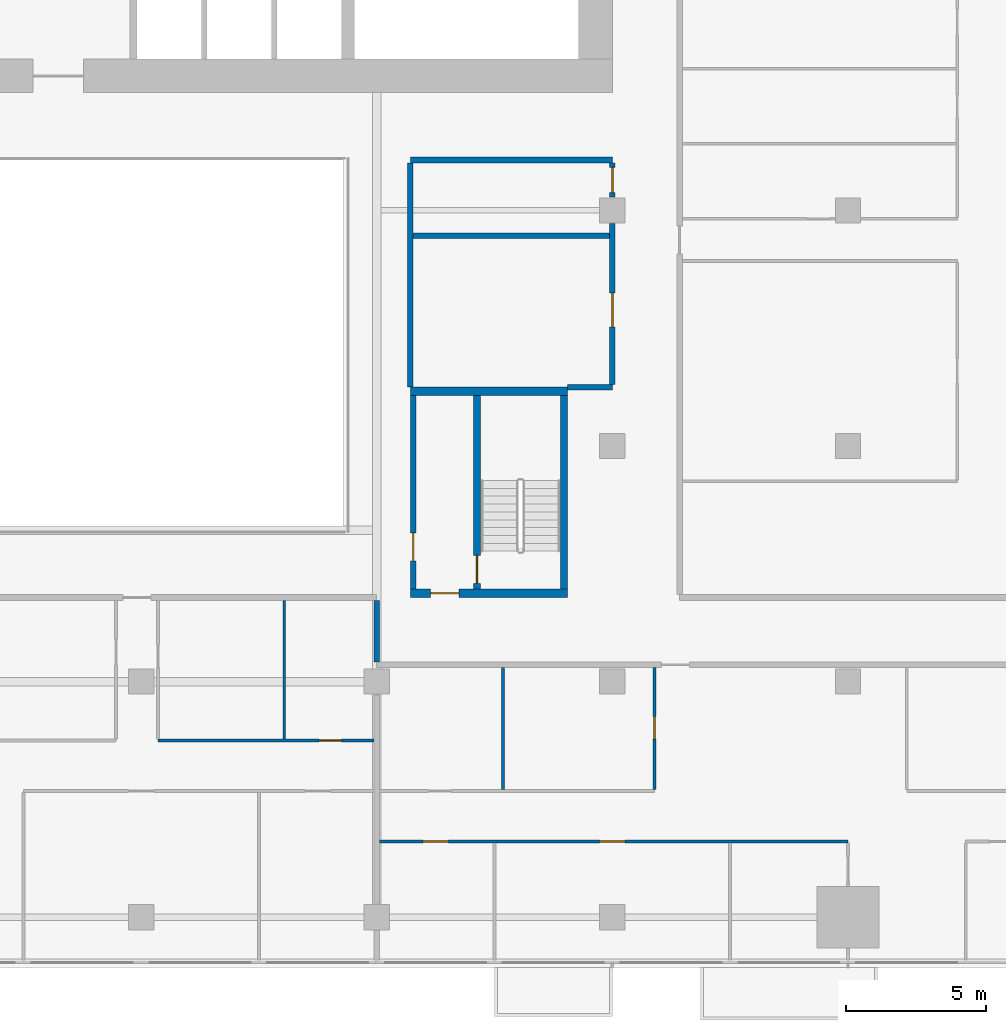
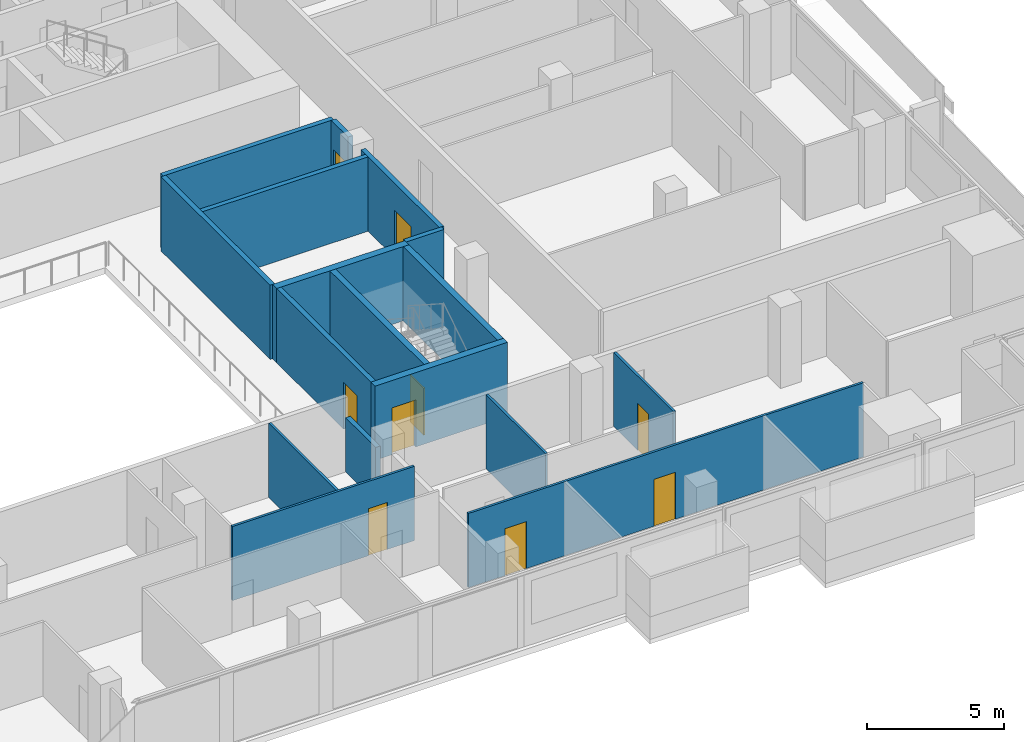
# One storey, part 20 of 28: 17 walls, 9 doors, 9 openings.
"""IFC4 building model written with IfcOpenShell, lengths in metres."""

from ifc_helpers import new_model, si_unit, direction, frame, frame_2d, origin, place, context, subcontext, project, spatial, rectangle, extrude, material, layer, layer_set, type_object, element, fill, save


model = new_model("IFC4")

# Units and contexts
model_context = context("Model", 3, precision=1e-05, world=origin(), true_north=direction((0.0, 1.0)))
body_context = subcontext(model_context, "Body", "Model", "MODEL_VIEW")
ifc_project = project(units=[si_unit("LENGTHUNIT", "METRE"), si_unit("AREAUNIT", "SQUARE_METRE"), si_unit("VOLUMEUNIT", "CUBIC_METRE"), si_unit("PLANEANGLEUNIT", "RADIAN"), si_unit("MASSUNIT", "GRAM", prefix="KILO")], contexts=[model_context])

# Site, building, storey
site_placement = place(None, origin())
site = spatial("IfcSite", under=ifc_project, at=site_placement, CompositionType="ELEMENT")
building_placement = place(site_placement, origin())
building = spatial("IfcBuilding", under=site, at=building_placement, Name="Saffron Gate Tower", CompositionType="ELEMENT")
storey_placement = place(building_placement, frame((0.0, 0.0, 51.60009765625)))
storey = spatial("IfcBuildingStorey", under=building, at=storey_placement, Name="L11", CompositionType="ELEMENT", Elevation=51.60009765625)

# Wall, opening, door
ifc_material_1 = material(Name="Gypsum board partition on steel studs", Category="steel")
ifc_layer_1 = layer(ifc_material_1, 0.199951171875)
ifc_layer_set_1 = layer_set([ifc_layer_1], Name="CW10 Core partition 200")
wall_type_1 = type_object("IfcWallType", Name="CW10 Core partition 200", PredefinedType="PARTITIONING", material=ifc_layer_set_1)
wall_1_placement = place(storey_placement, frame((101.5, 43.5, 0.0), z_axis=(0.0, 0.0, 1.0), x_axis=(0.0, 1.0, 0.0)))
wall_1 = element("IfcWall", 1, at=wall_1_placement, inside=storey, type_object=wall_type_1, Name="Wall CW10-L11-E-2", PredefinedType="PARTITIONING", context=body_context, shape_type="SweptSolid", body=[
    extrude(rectangle(XDim=6.89990234375, YDim=0.199951171875, at=frame_2d((3.449951171875, 0.0))), origin(), (0.0, 0.0, 1.0), 3.31982421875),
])
opening_1_placement = place(wall_1_placement, frame((1.0, 0.0, 0.0)))
opening_1 = element("IfcOpeningElement", 2, at=opening_1_placement, cuts=wall_1, Name="Opening CR-22", PredefinedType="OPENING", context=body_context, shape_type="SweptSolid", body=[
    extrude(rectangle(XDim=1.0, YDim=2.10009765625, at=frame_2d((0.5, 1.050048828125))), frame((0.0, 0.10986328125, 0.0), z_axis=(0.0, -1.0, 0.0), x_axis=(1.0, 0.0, 0.0)), (0.0, 0.0, 1.0), 0.219970703125),
])
ifc_material_2 = material(Name="Steel fire door set", Category="steel")
door_type_1 = type_object("IfcDoorType", Name="CD4 Lobby door 1000x2100 EI 120", OperationType="NOTDEFINED", PredefinedType="DOOR", material=ifc_material_2)
door_1_placement = place(opening_1_placement, origin())
door_1 = element("IfcDoor", 3, at=door_1_placement, inside=storey, type_object=door_type_1, Name="DOOR CR-22", OperationType="SINGLE_SWING_LEFT", OverallHeight=2.10009765625, OverallWidth=1.0, PredefinedType="DOOR", context=body_context, shape_type="SweptSolid", body=[
    extrude(rectangle(XDim=1.0, YDim=2.10009765625, at=frame_2d((0.5, 1.050048828125))), frame((0.0, 0.02490234375, 0.0), z_axis=(0.0, -1.0, 0.0), x_axis=(1.0, 0.0, 0.0)), (0.0, 0.0, 1.0), 0.050048828125),
])
fill(opening_1, door_1)

ifc_material_3 = material(Name="Concrete C70", Category="concrete")
ifc_layer_2 = layer(ifc_material_3, 0.25)
ifc_layer_set_2 = layer_set([ifc_layer_2], Name="CW2 RC core wall 250 C70")
wall_type_2 = type_object("IfcWallType", Name="CW2 RC core wall 250 C70", PredefinedType="SOLIDWALL", material=ifc_layer_set_2)
wall_2_placement = place(storey_placement, frame((103.77490234375, 43.5, 0.0), z_axis=(0.0, 0.0, 1.0), x_axis=(0.0, 1.0, 0.0)))
wall_2 = element("IfcWall", 4, at=wall_2_placement, inside=storey, type_object=wall_type_2, Name="Wall CW2-L11-E-3", PredefinedType="SOLIDWALL", context=body_context, shape_type="SweptSolid", body=[
    extrude(rectangle(XDim=6.89990234375, YDim=0.25, at=frame_2d((3.449951171875, 0.0))), origin(), (0.0, 0.0, 1.0), 3.31982421875),
])
opening_2_placement = place(wall_2_placement, frame((0.199951171875, 0.0, 0.0)))
opening_2 = element("IfcOpeningElement", 5, at=opening_2_placement, cuts=wall_2, Name="Opening CR-23", PredefinedType="OPENING", context=body_context, shape_type="SweptSolid", body=[
    extrude(rectangle(XDim=1.0, YDim=2.10009765625, at=frame_2d((0.5, 1.050048828125))), frame((0.0, 0.135009765625, 0.0), z_axis=(0.0, -1.0, 0.0), x_axis=(1.0, 0.0, 0.0)), (0.0, 0.0, 1.0), 0.27001953125),
])
door_type_2 = type_object("IfcDoorType", Name="CD5 Stair door 1000x2100 EI 120", OperationType="NOTDEFINED", PredefinedType="DOOR", material=ifc_material_2)
door_2_placement = place(opening_2_placement, origin())
door_2 = element("IfcDoor", 6, at=door_2_placement, inside=storey, type_object=door_type_2, Name="DOOR CR-23", OperationType="SINGLE_SWING_RIGHT", OverallHeight=2.10009765625, OverallWidth=1.0, PredefinedType="DOOR", context=body_context, shape_type="SweptSolid", body=[
    extrude(rectangle(XDim=1.0, YDim=2.10009765625, at=frame_2d((0.5, 1.050048828125))), frame((0.0, 0.02490234375, 0.0), z_axis=(0.0, -1.0, 0.0), x_axis=(1.0, 0.0, 0.0)), (0.0, 0.0, 1.0), 0.050048828125),
])
fill(opening_2, door_2)

# Wall
wall_3_placement = place(storey_placement, frame((106.875, 43.5, 0.0), z_axis=(0.0, 0.0, 1.0), x_axis=(0.0, 1.0, 0.0)))
element("IfcWall", 7, at=wall_3_placement, inside=storey, type_object=wall_type_2, Name="Wall CW2-L11-E-4", PredefinedType="SOLIDWALL", context=body_context, shape_type="SweptSolid", body=[
    extrude(rectangle(XDim=6.89990234375, YDim=0.25, at=frame_2d((3.449951171875, 0.0))), origin(), (0.0, 0.0, 1.0), 3.31982421875),
])

# Wall, opening, door
ifc_layer_3 = layer(ifc_material_3, 0.300048828125)
ifc_layer_set_3 = layer_set([ifc_layer_3], Name="CW5 RC core wall 300 C70")
wall_type_3 = type_object("IfcWallType", Name="CW5 RC core wall 300 C70", PredefinedType="SOLIDWALL", material=ifc_layer_set_3)
wall_4_placement = place(storey_placement, frame((101.39990234375, 43.35009765625, 0.0), z_axis=(0.0, 0.0, 1.0), x_axis=(1.0, 0.0, 0.0)))
wall_4 = element("IfcWall", 8, at=wall_4_placement, inside=storey, type_object=wall_type_3, Name="Wall CW5-L11-E-1", PredefinedType="SOLIDWALL", context=body_context, shape_type="SweptSolid", body=[
    extrude(rectangle(XDim=5.60009765625, YDim=0.300048828125, at=frame_2d((2.800048828125, 0.0))), origin(), (0.0, 0.0, 1.0), 3.31982421875),
])
opening_3_placement = place(wall_4_placement, frame((0.72509765625, 0.0, 0.0)))
opening_3 = element("IfcOpeningElement", 9, at=opening_3_placement, cuts=wall_4, Name="Opening CR-21", PredefinedType="OPENING", context=body_context, shape_type="SweptSolid", body=[
    extrude(rectangle(XDim=1.0, YDim=2.10009765625, at=frame_2d((0.5, 1.050048828125))), frame((0.0, 0.16015625, 0.0), z_axis=(0.0, -1.0, 0.0), x_axis=(1.0, 0.0, 0.0)), (0.0, 0.0, 1.0), 0.320068359375),
])
door_3_placement = place(opening_3_placement, origin())
door_3 = element("IfcDoor", 10, at=door_3_placement, inside=storey, type_object=door_type_1, Name="DOOR CR-21", OperationType="SINGLE_SWING_RIGHT", OverallHeight=2.10009765625, OverallWidth=1.0, PredefinedType="DOOR", context=body_context, shape_type="SweptSolid", body=[
    extrude(rectangle(XDim=1.0, YDim=2.10009765625, at=frame_2d((0.5, 1.050048828125))), frame((0.0, 0.02490234375, 0.0), z_axis=(0.0, -1.0, 0.0), x_axis=(1.0, 0.0, 0.0)), (0.0, 0.0, 1.0), 0.050048828125),
])
fill(opening_3, door_3)

# Wall
wall_5_placement = place(storey_placement, frame((101.39990234375, 50.550048828125, 0.0), z_axis=(0.0, 0.0, 1.0), x_axis=(1.0, 0.0, 0.0)))
element("IfcWall", 11, at=wall_5_placement, inside=storey, type_object=wall_type_3, Name="Wall CW5-L11-E-5", PredefinedType="SOLIDWALL", context=body_context, shape_type="SweptSolid", body=[
    extrude(rectangle(XDim=5.60009765625, YDim=0.300048828125, at=frame_2d((2.800048828125, 0.0))), origin(), (0.0, 0.0, 1.0), 3.31982421875),
])

# Wall, openings, doors
ifc_material_4 = material(Name="Plasterboard on steel studs", Category="steel")
ifc_layer_4 = layer(ifc_material_4, 0.10009765625)
ifc_layer_set_4 = layer_set([ifc_layer_4], Name="PW1 Partition 100")
wall_type_4 = type_object("IfcWallType", Name="PW1 Partition 100", PredefinedType="PARTITIONING", material=ifc_layer_set_4)
wall_6_placement = place(storey_placement, frame((117.0, 34.5, 0.0), z_axis=(0.0, 0.0, 1.0), x_axis=(-1.0, 0.0, 0.0)))
wall_6 = element("IfcWall", 12, at=wall_6_placement, inside=storey, type_object=wall_type_4, Name="Partition A2-3", PredefinedType="PARTITIONING", context=body_context, shape_type="SweptSolid", body=[
    extrude(rectangle(XDim=16.699951171875, YDim=0.10009765625, at=frame_2d((8.35009765625, 0.0))), origin(), (0.0, 0.0, 1.0), 3.31982421875),
])
opening_4_placement = place(wall_6_placement, frame((7.949951171875, 0.0, 0.0)))
opening_4 = element("IfcOpeningElement", 13, at=opening_4_placement, cuts=wall_6, Name="Opening A2-17", PredefinedType="OPENING", context=body_context, shape_type="SweptSolid", body=[
    extrude(rectangle(XDim=0.89990234375, YDim=2.10009765625, at=frame_2d((0.449951171875, 1.050048828125))), frame((0.0, 0.06005859375, 0.0), z_axis=(0.0, -1.0, 0.0), x_axis=(1.0, 0.0, 0.0)), (0.0, 0.0, 1.0), 0.1201171875),
])
opening_5_placement = place(wall_6_placement, frame((14.25, 0.0, 0.0)))
opening_5 = element("IfcOpeningElement", 14, at=opening_5_placement, cuts=wall_6, Name="Opening A2-16", PredefinedType="OPENING", context=body_context, shape_type="SweptSolid", body=[
    extrude(rectangle(XDim=0.89990234375, YDim=2.10009765625, at=frame_2d((0.449951171875, 1.050048828125))), frame((0.0, 0.06005859375, 0.0), z_axis=(0.0, -1.0, 0.0), x_axis=(1.0, 0.0, 0.0)), (0.0, 0.0, 1.0), 0.1201171875),
])
ifc_material_5 = material(Name="Timber door set", Category="wood")
door_type_3 = type_object("IfcDoorType", Name="RD1 Room door 900x2100", OperationType="NOTDEFINED", PredefinedType="DOOR", material=ifc_material_5)
door_4_placement = place(opening_4_placement, origin())
door_4 = element("IfcDoor", 15, at=door_4_placement, inside=storey, type_object=door_type_3, Name="Door A2-17", OperationType="SINGLE_SWING_LEFT", OverallHeight=2.10009765625, OverallWidth=0.89990234375, PredefinedType="DOOR", context=body_context, shape_type="SweptSolid", body=[
    extrude(rectangle(XDim=0.89990234375, YDim=2.10009765625, at=frame_2d((0.449951171875, 1.050048828125))), frame((0.0, 0.02490234375, 0.0), z_axis=(0.0, -1.0, 0.0), x_axis=(1.0, 0.0, 0.0)), (0.0, 0.0, 1.0), 0.050048828125),
])
fill(opening_4, door_4)
door_5_placement = place(opening_5_placement, origin())
door_5 = element("IfcDoor", 16, at=door_5_placement, inside=storey, type_object=door_type_3, Name="Door A2-16", OperationType="SINGLE_SWING_RIGHT", OverallHeight=2.10009765625, OverallWidth=0.89990234375, PredefinedType="DOOR", context=body_context, shape_type="SweptSolid", body=[
    extrude(rectangle(XDim=0.89990234375, YDim=2.10009765625, at=frame_2d((0.449951171875, 1.050048828125))), frame((0.0, 0.02490234375, 0.0), z_axis=(0.0, -1.0, 0.0), x_axis=(1.0, 0.0, 0.0)), (0.0, 0.0, 1.0), 0.050048828125),
])
fill(opening_5, door_5)

# Wall, opening, door
wall_7_placement = place(storey_placement, frame((92.39990234375, 38.10009765625, 0.0), z_axis=(0.0, 0.0, 1.0), x_axis=(1.0, 0.0, 0.0)))
wall_7 = element("IfcWall", 17, at=wall_7_placement, inside=storey, type_object=wall_type_4, Name="Partition A2-8", PredefinedType="PARTITIONING", context=body_context, shape_type="SweptSolid", body=[
    extrude(rectangle(XDim=7.7001953125, YDim=0.10009765625, at=frame_2d((3.85009765625, 0.0))), origin(), (0.0, 0.0, 1.0), 3.31982421875),
])
opening_6_placement = place(wall_7_placement, frame((5.75, 0.0, 0.0)))
opening_6 = element("IfcOpeningElement", 18, at=opening_6_placement, cuts=wall_7, Name="Opening A2-36", PredefinedType="OPENING", context=body_context, shape_type="SweptSolid", body=[
    extrude(rectangle(XDim=0.800048828125, YDim=2.10009765625, at=frame_2d((0.39990234375, 1.050048828125))), frame((0.0, 0.06005859375, 0.0), z_axis=(0.0, -1.0, 0.0), x_axis=(1.0, 0.0, 0.0)), (0.0, 0.0, 1.0), 0.1201171875),
])
door_type_4 = type_object("IfcDoorType", Name="RD2 Bathroom door 800x2100", OperationType="NOTDEFINED", PredefinedType="DOOR", material=ifc_material_5)
door_6_placement = place(opening_6_placement, origin())
door_6 = element("IfcDoor", 19, at=door_6_placement, inside=storey, type_object=door_type_4, Name="Door A2-36", OperationType="SINGLE_SWING_RIGHT", OverallHeight=2.10009765625, OverallWidth=0.800048828125, PredefinedType="DOOR", context=body_context, shape_type="SweptSolid", body=[
    extrude(rectangle(XDim=0.800048828125, YDim=2.10009765625, at=frame_2d((0.39990234375, 1.050048828125))), frame((0.0, 0.02490234375, 0.0), z_axis=(0.0, -1.0, 0.0), x_axis=(1.0, 0.0, 0.0)), (0.0, 0.0, 1.0), 0.050048828125),
])
fill(opening_6, door_6)

# Walls
wall_8_placement = place(storey_placement, frame((96.89990234375, 43.10009765625, 0.0), z_axis=(0.0, 0.0, 1.0), x_axis=(0.0, -1.0, 0.0)))
element("IfcWall", 20, at=wall_8_placement, inside=storey, type_object=wall_type_4, Name="Partition A2-78", PredefinedType="PARTITIONING", context=body_context, shape_type="SweptSolid", body=[
    extrude(rectangle(XDim=4.9501953125, YDim=0.10009765625, at=frame_2d((2.47509765625, 0.0))), origin(), (0.0, 0.0, 1.0), 3.31982421875),
])
wall_9_placement = place(storey_placement, frame((104.699951171875, 40.699951171875, 0.0), z_axis=(0.0, 0.0, 1.0), x_axis=(0.0, -1.0, 0.0)))
element("IfcWall", 21, at=wall_9_placement, inside=storey, type_object=wall_type_4, Name="Partition A2-84", PredefinedType="PARTITIONING", context=body_context, shape_type="SweptSolid", body=[
    extrude(rectangle(XDim=4.349853515625, YDim=0.10009765625, at=frame_2d((2.1748046875, 0.0))), origin(), (0.0, 0.0, 1.0), 3.31982421875),
])

# Wall, opening, door
wall_10_placement = place(storey_placement, frame((110.10009765625, 36.35009765625, 0.0), z_axis=(0.0, 0.0, 1.0), x_axis=(0.0, 1.0, 0.0)))
wall_10 = element("IfcWall", 22, at=wall_10_placement, inside=storey, type_object=wall_type_4, Name="Partition A2-87", PredefinedType="PARTITIONING", context=body_context, shape_type="SweptSolid", body=[
    extrude(rectangle(XDim=4.349853515625, YDim=0.10009765625, at=frame_2d((2.1748046875, 0.0))), origin(), (0.0, 0.0, 1.0), 3.31982421875),
])
opening_7_placement = place(wall_10_placement, frame((1.800048828125, 0.0, 0.0)))
opening_7 = element("IfcOpeningElement", 23, at=opening_7_placement, cuts=wall_10, Name="Opening A2-38", PredefinedType="OPENING", context=body_context, shape_type="SweptSolid", body=[
    extrude(rectangle(XDim=0.800048828125, YDim=2.10009765625, at=frame_2d((0.39990234375, 1.050048828125))), frame((0.0, 0.06005859375, 0.0), z_axis=(0.0, -1.0, 0.0), x_axis=(1.0, 0.0, 0.0)), (0.0, 0.0, 1.0), 0.1201171875),
])
door_7_placement = place(opening_7_placement, origin())
door_7 = element("IfcDoor", 24, at=door_7_placement, inside=storey, type_object=door_type_4, Name="Door A2-38", OperationType="SINGLE_SWING_RIGHT", OverallHeight=2.10009765625, OverallWidth=0.800048828125, PredefinedType="DOOR", context=body_context, shape_type="SweptSolid", body=[
    extrude(rectangle(XDim=0.800048828125, YDim=2.10009765625, at=frame_2d((0.39990234375, 1.050048828125))), frame((0.0, 0.02490234375, 0.0), z_axis=(0.0, -1.0, 0.0), x_axis=(1.0, 0.0, 0.0)), (0.0, 0.0, 1.0), 0.050048828125),
])
fill(opening_7, door_7)

# Walls
ifc_material_6 = material(Name="Clay brick masonry, rendered", Category="masonry")
ifc_layer_5 = layer(ifc_material_6, 0.199951171875)
ifc_layer_set_5 = layer_set([ifc_layer_5], Name="PW3 Corridor wall 200")
wall_type_5 = type_object("IfcWallType", Name="PW3 Corridor wall 200", PredefinedType="PARTITIONING", material=ifc_layer_set_5)
wall_11_placement = place(storey_placement, frame((107.0, 50.699951171875, 0.0), z_axis=(0.0, 0.0, 1.0), x_axis=(1.0, 0.0, 0.0)))
element("IfcWall", 25, at=wall_11_placement, inside=storey, type_object=wall_type_5, Name="Wall A2-25", PredefinedType="PARTITIONING", context=body_context, shape_type="SweptSolid", body=[
    extrude(rectangle(XDim=1.60009765625, YDim=0.199951171875, at=frame_2d((0.800048828125, 0.0))), origin(), (0.0, 0.0, 1.0), 3.31982421875),
])
wall_12_placement = place(storey_placement, frame((101.39990234375, 58.800048828125, 0.0), z_axis=(0.0, 0.0, 1.0), x_axis=(1.0, 0.0, 0.0)))
element("IfcWall", 26, at=wall_12_placement, inside=storey, type_object=wall_type_5, Name="Wall A2-38", PredefinedType="PARTITIONING", context=body_context, shape_type="SweptSolid", body=[
    extrude(rectangle(XDim=7.2001953125, YDim=0.199951171875, at=frame_2d((3.60009765625, 0.0))), origin(), (0.0, 0.0, 1.0), 3.31982421875),
])
wall_13_placement = place(storey_placement, frame((100.199951171875, 43.10009765625, 0.0), z_axis=(0.0, 0.0, 1.0), x_axis=(0.0, -1.0, 0.0)))
element("IfcWall", 27, at=wall_13_placement, inside=storey, type_object=wall_type_5, Name="Wall A2-79", PredefinedType="PARTITIONING", context=body_context, shape_type="SweptSolid", body=[
    extrude(rectangle(XDim=2.2001953125, YDim=0.199951171875, at=frame_2d((1.10009765625, 0.0))), origin(), (0.0, 0.0, 1.0), 2.429931640625),
])
wall_14_placement = place(storey_placement, frame((101.39990234375, 58.699951171875, 0.0), z_axis=(0.0, 0.0, 1.0), x_axis=(0.0, -1.0, 0.0)))
element("IfcWall", 28, at=wall_14_placement, inside=storey, type_object=wall_type_5, Name="Wall A2-82", PredefinedType="PARTITIONING", context=body_context, shape_type="SweptSolid", body=[
    extrude(rectangle(XDim=8.0, YDim=0.199951171875, at=frame_2d((4.0, 0.0))), origin(), (0.0, 0.0, 1.0), 3.31982421875),
])

# Wall, opening, door
wall_15_placement = place(storey_placement, frame((108.60009765625, 50.800048828125, 0.0), z_axis=(0.0, 0.0, 1.0), x_axis=(0.0, 1.0, 0.0)))
wall_15 = element("IfcWall", 29, at=wall_15_placement, inside=storey, type_object=wall_type_5, Name="Wall A2-85", PredefinedType="PARTITIONING", context=body_context, shape_type="SweptSolid", body=[
    extrude(rectangle(XDim=5.72998046875, YDim=0.199951171875, at=frame_2d((2.864990234375, 0.0))), origin(), (0.0, 0.0, 1.0), 3.31982421875),
])
opening_8_placement = place(wall_15_placement, frame((2.050048828125, 0.0, 0.0)))
opening_8 = element("IfcOpeningElement", 30, at=opening_8_placement, cuts=wall_15, Name="Opening A2-45", PredefinedType="OPENING", context=body_context, shape_type="SweptSolid", body=[
    extrude(rectangle(XDim=1.199951171875, YDim=2.10009765625, at=frame_2d((0.60009765625, 1.050048828125))), frame((0.0, 0.10986328125, 0.0), z_axis=(0.0, -1.0, 0.0), x_axis=(1.0, 0.0, 0.0)), (0.0, 0.0, 1.0), 0.219970703125),
])
door_type_5 = type_object("IfcDoorType", Name="HD1 Hall door 1200x2100", OperationType="NOTDEFINED", PredefinedType="DOOR", material=ifc_material_5)
door_8_placement = place(opening_8_placement, origin())
door_8 = element("IfcDoor", 31, at=door_8_placement, inside=storey, type_object=door_type_5, Name="Door A2-45", OperationType="SINGLE_SWING_RIGHT", OverallHeight=2.10009765625, OverallWidth=1.199951171875, PredefinedType="DOOR", context=body_context, shape_type="SweptSolid", body=[
    extrude(rectangle(XDim=1.199951171875, YDim=2.10009765625, at=frame_2d((0.60009765625, 1.050048828125))), frame((0.0, 0.02490234375, 0.0), z_axis=(0.0, -1.0, 0.0), x_axis=(1.0, 0.0, 0.0)), (0.0, 0.0, 1.0), 0.050048828125),
])
fill(opening_8, door_8)

wall_16_placement = place(storey_placement, frame((108.60009765625, 57.469970703125, 0.0), z_axis=(0.0, 0.0, 1.0), x_axis=(0.0, 1.0, 0.0)))
wall_16 = element("IfcWall", 32, at=wall_16_placement, inside=storey, type_object=wall_type_5, Name="Wall A2-86", PredefinedType="PARTITIONING", context=body_context, shape_type="SweptSolid", body=[
    extrude(rectangle(XDim=1.22998046875, YDim=0.199951171875, at=frame_2d((0.614990234375, 0.0))), origin(), (0.0, 0.0, 1.0), 3.31982421875),
])
opening_9_placement = place(wall_16_placement, frame((0.1650390625, 0.0, 0.0)))
opening_9 = element("IfcOpeningElement", 33, at=opening_9_placement, cuts=wall_16, Name="Opening A2-32", PredefinedType="OPENING", context=body_context, shape_type="SweptSolid", body=[
    extrude(rectangle(XDim=0.89990234375, YDim=2.10009765625, at=frame_2d((0.449951171875, 1.050048828125))), frame((0.0, 0.10986328125, 0.0), z_axis=(0.0, -1.0, 0.0), x_axis=(1.0, 0.0, 0.0)), (0.0, 0.0, 1.0), 0.219970703125),
])
door_9_placement = place(opening_9_placement, origin())
door_9 = element("IfcDoor", 34, at=door_9_placement, inside=storey, type_object=door_type_3, Name="Door A2-32", OperationType="SINGLE_SWING_RIGHT", OverallHeight=2.10009765625, OverallWidth=0.89990234375, PredefinedType="DOOR", context=body_context, shape_type="SweptSolid", body=[
    extrude(rectangle(XDim=0.89990234375, YDim=2.10009765625, at=frame_2d((0.449951171875, 1.050048828125))), frame((0.0, 0.02490234375, 0.0), z_axis=(0.0, -1.0, 0.0), x_axis=(1.0, 0.0, 0.0)), (0.0, 0.0, 1.0), 0.050048828125),
])
fill(opening_9, door_9)

# Wall
ifc_layer_6 = layer(ifc_material_6, 0.199951171875)
ifc_layer_set_6 = layer_set([ifc_layer_6], Name="PW5 Room wall 200")
wall_type_6 = type_object("IfcWallType", Name="PW5 Room wall 200", PredefinedType="PARTITIONING", material=ifc_layer_set_6)
wall_17_placement = place(storey_placement, frame((101.5, 56.10009765625, 0.0), z_axis=(0.0, 0.0, 1.0), x_axis=(1.0, 0.0, 0.0)))
element("IfcWall", 35, at=wall_17_placement, inside=storey, type_object=wall_type_6, Name="Wall A2-29", PredefinedType="PARTITIONING", context=body_context, shape_type="SweptSolid", body=[
    extrude(rectangle(XDim=7.0, YDim=0.199951171875, at=frame_2d((3.5, 0.0))), origin(), (0.0, 0.0, 1.0), 3.31982421875),
])

save(model, "model.ifc")
